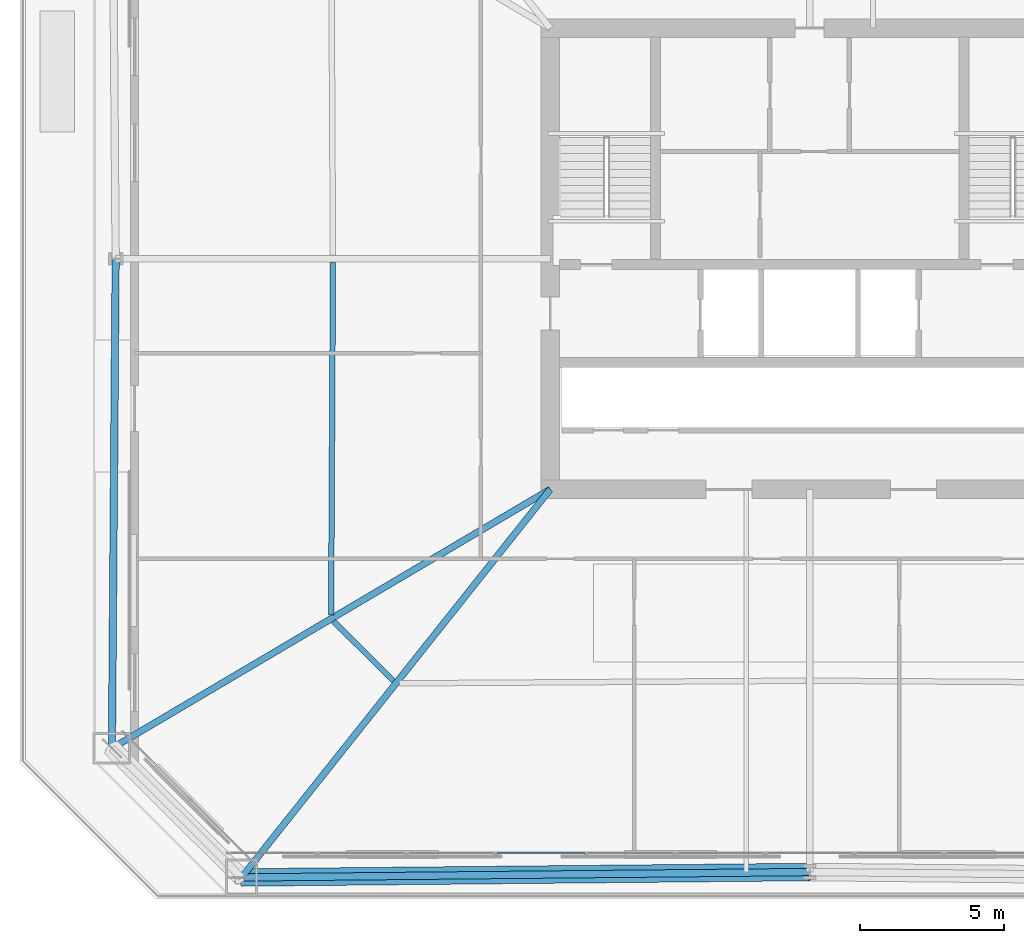
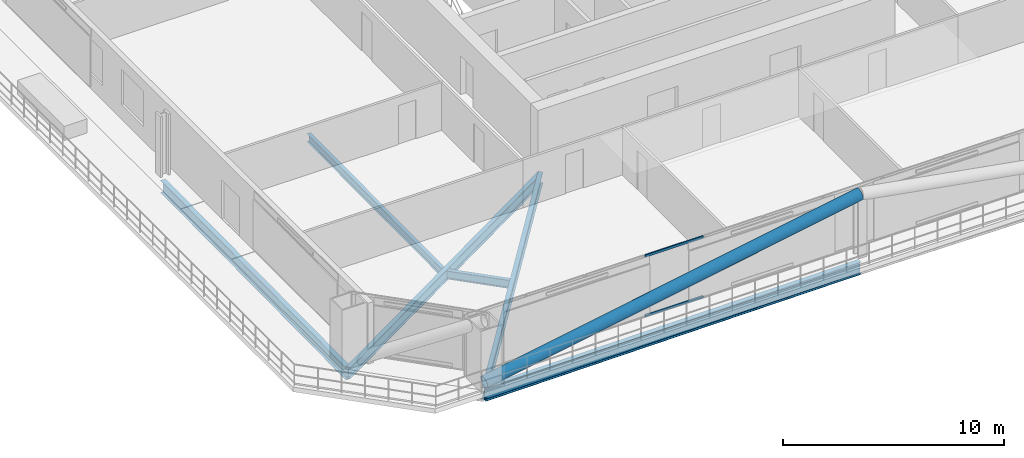
# One storey, part 4 of 34: 6 beams, 3 members, 1 element without a shape of its own.
"""IFC4 building model written with IfcOpenShell, lengths in metres."""

import ifcopenshell
import ifcopenshell.guid

model = None  # the IFC model being written
_history = None  # IfcOwnerHistory: only IFC2X3 demands one
_inside = {}  # id of a spatial element -> (the spatial element, [elements in it])
_under = {}  # id of a project, library or spatial element -> (it, [spatial elements below it])
_declared = {}  # id of a project -> (the project, [libraries it declares])
_typed = {}  # id of a type object -> (the type object, [elements of that type])
_made_of = {}  # id of a material, layer set ... -> (it, [elements and type objects made of it])


def new_model(schema):
    """Start an empty IFC model of exactly this schema.

    Asked for "IFC4X3", IfcOpenShell would pick the latest addendum, in which some entities
    have other attributes; the version numbers below select the first issue.
    IFC2X3 requires an IfcOwnerHistory on every rooted entity: one is made here for all.
    """
    global model, _history
    if schema == "IFC4X3":
        model = ifcopenshell.file(schema_version=(4, 3, 0, 0))
    else:
        model = ifcopenshell.file(schema=schema)
    _inside.clear()
    _under.clear()
    _declared.clear()
    _typed.clear()
    _made_of.clear()
    _history = None
    if model.schema == "IFC2X3":
        org = make("IfcOrganization", Name="unknown")
        user = make(
            "IfcPersonAndOrganization",
            ThePerson=make("IfcPerson", FamilyName="unknown"),
            TheOrganization=org,
        )
        app = make(
            "IfcApplication",
            ApplicationDeveloper=org,
            Version="unknown",
            ApplicationFullName="unknown",
            ApplicationIdentifier="unknown",
        )
        _history = make(
            "IfcOwnerHistory",
            OwningUser=user,
            OwningApplication=app,
            ChangeAction="ADDED",
            CreationDate=0,
        )
    return model


def make(cls, **values):
    """One entity of the class cls with the attributes given. An attribute that is None is left unset."""
    return model.create_entity(
        cls, **{name: value for name, value in values.items() if value is not None}
    )


def rooted(cls, **values):
    """An entity with a GlobalId (a new one), such as an element, a storey or a relation."""
    return make(cls, GlobalId=ifcopenshell.guid.new(), OwnerHistory=_history, **values)


def si_unit(unit_type, name, prefix=None):
    """IfcSIUnit, for example si_unit("LENGTHUNIT", "METRE", prefix="MILLI")."""
    return make("IfcSIUnit", UnitType=unit_type, Prefix=prefix, Name=name)


def assignment(units):
    """IfcUnitAssignment: the units of a project."""
    return None if units is None else make("IfcUnitAssignment", Units=units)


def point(xyz):
    """IfcCartesianPoint."""
    return None if xyz is None else make("IfcCartesianPoint", Coordinates=xyz)


def direction(xyz):
    """IfcDirection."""
    return None if xyz is None else make("IfcDirection", DirectionRatios=xyz)


def frame(location, z_axis=None, x_axis=None):
    """IfcAxis2Placement3D, a coordinate frame: its origin and axes. An axis left out is left unset."""
    return make(
        "IfcAxis2Placement3D",
        Location=point(location),
        Axis=direction(z_axis),
        RefDirection=direction(x_axis),
    )


def frame_2d(location, x_axis=None):
    """IfcAxis2Placement2D, a coordinate frame in the plane: its origin and x axis."""
    return make(
        "IfcAxis2Placement2D", Location=point(location), RefDirection=direction(x_axis)
    )


def origin():
    """The frame at (0, 0, 0) with its axes left unset."""
    return frame((0.0, 0.0, 0.0))


def origin_2d():
    """The frame at (0, 0) in the plane with its x axis left unset."""
    return frame_2d((0.0, 0.0))


def place(relative_to, where):
    """IfcLocalPlacement: puts the frame where relative to a parent placement (None: the world)."""
    return make(
        "IfcLocalPlacement", PlacementRelTo=relative_to, RelativePlacement=where
    )


def context(
    kind, dimensions, precision=None, world=None, true_north=None, identifier=None
):
    """IfcGeometricRepresentationContext, for example the 3D "Model" context."""
    return make(
        "IfcGeometricRepresentationContext",
        ContextIdentifier=identifier,
        ContextType=kind,
        CoordinateSpaceDimension=dimensions,
        Precision=precision,
        WorldCoordinateSystem=world,
        TrueNorth=true_north,
    )


def subcontext(parent, identifier, kind, view, scale=None):
    """IfcGeometricRepresentationSubContext, for example "Body" below "Model"."""
    return make(
        "IfcGeometricRepresentationSubContext",
        ContextIdentifier=identifier,
        ContextType=kind,
        ParentContext=parent,
        TargetScale=scale,
        TargetView=view,
    )


def project(units=None, contexts=None):
    """IfcProject with its units and contexts."""
    return rooted(
        "IfcProject",
        Name="project",
        RepresentationContexts=contexts,
        UnitsInContext=assignment(units),
    )


def spatial(cls, under=None, at=None, **own):
    """A site, building, storey or space (cls), placed at a placement, below another one or the project."""
    s = rooted(cls, ObjectPlacement=at, **own)
    if under is not None:
        _under.setdefault(under.id(), (under, []))[1].append(s)
    return s


def profile(cls, at=None, kind="AREA", **sizes):
    """A parametric profile (cls). Its sizes go by their IFC names, for example OverallWidth=200.0."""
    return make(cls, ProfileType=kind, Position=at, **sizes)


def hollow_rectangle(**sizes):
    """IfcRectangleHollowProfileDef."""
    return profile("IfcRectangleHollowProfileDef", **sizes)


def hollow_circle(**sizes):
    """IfcCircleHollowProfileDef."""
    return profile("IfcCircleHollowProfileDef", **sizes)


def i_section(**sizes):
    """IfcIShapeProfileDef."""
    return profile("IfcIShapeProfileDef", **sizes)


def extrude(swept, where, along, depth):
    """IfcExtrudedAreaSolid: the profile swept, set in the frame where, extruded along a direction by depth."""
    return make(
        "IfcExtrudedAreaSolid",
        SweptArea=swept,
        Position=where,
        ExtrudedDirection=direction(along),
        Depth=depth,
    )


def shape(context_of_items, identifier, shape_type, items):
    """IfcShapeRepresentation: the items that make up one representation, for example the "Body"."""
    return make(
        "IfcShapeRepresentation",
        ContextOfItems=context_of_items,
        RepresentationIdentifier=identifier,
        RepresentationType=shape_type,
        Items=items,
    )


def material(Name=None, Category=None):
    """IfcMaterial."""
    return make("IfcMaterial", Name=Name, Category=Category)


def layer(
    of_material, thickness, ventilated=None, Name=None, Category=None, Priority=None
):
    """IfcMaterialLayer: one layer of a wall or slab, of a material (None: an air gap)."""
    return make(
        "IfcMaterialLayer",
        Material=of_material,
        LayerThickness=thickness,
        IsVentilated=ventilated,
        Name=Name,
        Category=Category,
        Priority=Priority,
    )


def layer_set(layers, Name=None):
    """IfcMaterialLayerSet."""
    return make("IfcMaterialLayerSet", MaterialLayers=layers, LayerSetName=Name)


def material_profile(
    of_material, cross_section, Name=None, Category=None, Priority=None
):
    """IfcMaterialProfile: a cross section and its material."""
    return make(
        "IfcMaterialProfile",
        Name=Name,
        Material=of_material,
        Profile=cross_section,
        Priority=Priority,
        Category=Category,
    )


def profile_set(profiles, Name=None, composite=None):
    """IfcMaterialProfileSet."""
    return make(
        "IfcMaterialProfileSet",
        Name=Name,
        MaterialProfiles=profiles,
        CompositeProfile=composite,
    )


def made_of(thing, what):
    """Note that an element or type object is made of a material, layer set ...; save() writes the relation."""
    if what is not None:
        _made_of.setdefault(what.id(), (what, []))[1].append(thing)
    return thing


def type_object(cls, material=None, **own):
    """A type object (cls), such as IfcWallType, which elements share."""
    return made_of(rooted(cls, **own), material)


def element(
    cls,
    number,
    at=None,
    inside=None,
    cuts=None,
    type_object=None,
    material=None,
    context=None,
    identifier="Body",
    shape_type=None,
    held_by="IfcProductDefinitionShape",
    body=None,
    shapes=None,
    **own,
):
    """One element of the class cls, such as IfcWall. Its Tag is "e" and its number.

    at: its placement. inside: the storey or other place that contains it. cuts: it is an
    opening in that element (IfcRelVoidsElement). A single representation is given by context,
    identifier, shape_type and body (its items); several are given by shapes. held_by: the class
    of the entity that holds the representations. save() writes the other relations.
    """
    e = rooted(cls, Tag="e%d" % number, ObjectPlacement=at, **own)
    if body is not None:
        shapes = [shape(context, identifier, shape_type, body)]
    if shapes is not None:
        e.Representation = make(held_by, Representations=shapes)
    if inside is not None:
        _inside.setdefault(inside.id(), (inside, []))[1].append(e)
    if cuts is not None:
        rooted(
            "IfcRelVoidsElement", RelatingBuildingElement=cuts, RelatedOpeningElement=e
        )
    if type_object is not None:
        _typed.setdefault(type_object.id(), (type_object, []))[1].append(e)
    return made_of(e, material)


def aggregate(whole, parts):
    """IfcRelAggregates: a whole, such as a stair, and the parts it consists of."""
    return rooted("IfcRelAggregates", RelatingObject=whole, RelatedObjects=parts)


def save(model, path):
    """Write the relations noted so far, then the file.

    IfcRelAggregates (storeys below a building ...), IfcRelContainedInSpatialStructure (elements
    in a storey), IfcRelDefinesByType, IfcRelAssociatesMaterial and IfcRelDeclares: one each for
    every whole, place, type object, material and project.
    """
    for whole, parts in _under.values():
        aggregate(whole, parts)
    for where, things in _inside.values():
        rooted(
            "IfcRelContainedInSpatialStructure",
            RelatedElements=things,
            RelatingStructure=where,
        )
    for kind, things in _typed.values():
        rooted("IfcRelDefinesByType", RelatedObjects=things, RelatingType=kind)
    for what, things in _made_of.values():
        rooted("IfcRelAssociatesMaterial", RelatedObjects=things, RelatingMaterial=what)
    for by, libraries in _declared.values():
        rooted("IfcRelDeclares", RelatingContext=by, RelatedDefinitions=libraries)
    model.write(path)


model = new_model("IFC4")

# Units and contexts
model_context = context("Model", 3, precision=1e-05, world=origin(), true_north=direction((0.0, 1.0)))
body_context = subcontext(model_context, "Body", "Model", "MODEL_VIEW")
ifc_project = project(units=[si_unit("LENGTHUNIT", "METRE"), si_unit("AREAUNIT", "SQUARE_METRE"), si_unit("VOLUMEUNIT", "CUBIC_METRE"), si_unit("PLANEANGLEUNIT", "RADIAN"), si_unit("MASSUNIT", "GRAM", prefix="KILO")], contexts=[model_context])

# Site, building, storey
site_placement = place(None, origin())
site = spatial("IfcSite", under=ifc_project, at=site_placement, CompositionType="ELEMENT")
building_placement = place(site_placement, origin())
building = spatial("IfcBuilding", under=site, at=building_placement, Name="Caelvoria Tower", CompositionType="ELEMENT")
storey_placement = place(building_placement, frame((0.0, 0.0, 28.0)))
storey = spatial("IfcBuildingStorey", under=building, at=storey_placement, Name="L06", CompositionType="ELEMENT", Elevation=28.0)

# Curtain wall, members
ifc_material_1 = material(Name="Anodised Bronze Aluminium and Low-E Glass", Category="aluminium")
ifc_layer = layer(ifc_material_1, 0.18505859375, Name="Anodised Bronze Aluminium and Low-E Glass")
ifc_layer_set = layer_set([ifc_layer], Name="CW System 2 Lower Tower Bronze Unitised Facade - Anodised Bronze Aluminium and Low-E Glass")
curtain_wall_type = type_object("IfcCurtainWallType", Name="CW System 2 Lower Tower Bronze Unitised Facade", PredefinedType="NOTDEFINED", material=ifc_layer_set)
curtain_wall_placement = place(storey_placement, origin())
curtain_wall = element("IfcCurtainWall", 1, at=curtain_wall_placement, inside=storey, type_object=curtain_wall_type, Name="CW-02 Curtain Wall L06-E0", PredefinedType="NOTDEFINED")
ifc_material_2 = material(Name="Anodised Bronze Architectural Aluminium", Category="aluminium")
ifc_material_profile_1 = material_profile(ifc_material_2, hollow_rectangle(XDim=0.06494140625, YDim=0.1298828125, WallThickness=0.00341796875, at=origin_2d()), Name="Anodised Bronze Architectural Aluminium")
ifc_profile_set_1 = profile_set([ifc_material_profile_1], Name="CW_TRAN_65X130 - Anodised Bronze Architectural Aluminium")
member_type_1 = type_object("IfcMemberType", Name="Curtain Wall Transom 65x130 Bronze Aluminium", PredefinedType="USERDEFINED", material=ifc_profile_set_1)
member_1_placement = place(storey_placement, frame((35.155517578125, 11.3798828125, 0.032470703125), z_axis=(1.0, 0.0, 0.0), x_axis=(0.0, 1.0, 0.0)))
member_1 = element("IfcMember", 2, at=member_1_placement, type_object=member_type_1, Name="CW-02 transom 4.1", ObjectType="TRANSOM", PredefinedType="USERDEFINED", context=body_context, shape_type="SweptSolid", body=[
    extrude(hollow_rectangle(XDim=0.06494140625, YDim=0.1298828125, WallThickness=0.00341796875, at=origin_2d()), origin(), (0.0, 0.0, 1.0), 3.042724609375),
])
member_2_placement = place(storey_placement, frame((35.155517578125, 11.3798828125, 3.327392578125), z_axis=(1.0, 0.0, 0.0), x_axis=(0.0, 1.0, 0.0)))
member_2 = element("IfcMember", 3, at=member_2_placement, type_object=member_type_1, Name="CW-02 transom 4.2", ObjectType="TRANSOM", PredefinedType="USERDEFINED", context=body_context, shape_type="SweptSolid", body=[
    extrude(hollow_rectangle(XDim=0.06494140625, YDim=0.1298828125, WallThickness=0.00341796875, at=origin_2d()), origin(), (0.0, 0.0, 1.0), 3.042724609375),
])
aggregate(curtain_wall, [member_1, member_2])

# Member
ifc_material_3 = material(Name="Structural Steel ASTM A572 Gr.50", Category="steel")
ifc_material_profile_2 = material_profile(ifc_material_3, hollow_circle(Radius=0.304931640625, WallThickness=0.02490234375, at=origin_2d()), Name="Structural Steel ASTM A572 Gr.50")
ifc_profile_set_2 = profile_set([ifc_material_profile_2], Name="CHS610X25 - Structural Steel ASTM A572 Gr.50")
member_type_2 = type_object("IfcMemberType", Name="Lower Perimeter Mega Brace CHS610X25", PredefinedType="BRACE", material=ifc_profile_set_2)
member_3_placement = place(storey_placement, frame((26.287109375, 10.530517578125, 0.0), z_axis=(0.985737846639, 0.009473553069, 0.168021276916), x_axis=(-0.009610177415, 0.999953821179, 0.0)))
element("IfcMember", 4, at=member_3_placement, inside=storey, type_object=member_type_2, Name="Perimeter Cardinal Mega Brace L06 SA", PredefinedType="BRACE", context=body_context, shape_type="SweptSolid", body=[
    extrude(hollow_circle(Radius=0.304931640625, WallThickness=0.02490234375, at=origin_2d()), origin(), (0.0, 0.0, 1.0), 19.998046875),
])

# Beams
ifc_material_4 = material(Name="Structural Steel ASTM A992 Gr.50", Category="steel")
ifc_material_profile_3 = material_profile(ifc_material_4, i_section(OverallWidth=0.25390625, OverallDepth=0.68798828125, WebThickness=0.01318359375, FlangeThickness=0.02099609375, FilletRadius=0.01904296875, at=origin_2d()), Name="Structural Steel ASTM A992 Gr.50")
ifc_profile_set_3 = profile_set([ifc_material_profile_3], Name="W690X152 - Structural Steel ASTM A992 Gr.50")
beam_type_1 = type_object("IfcBeamType", Name="Perimeter Spandrel Girder W690X152", PredefinedType="BEAM", material=ifc_profile_set_3)
beam_1_placement = place(storey_placement, frame((26.287109375, 10.530517578125, -0.6640625), z_axis=(0.999953821179, 0.009610177415, 0.0), x_axis=(-0.009610177415, 0.999953821179, 0.0)))
element("IfcBeam", 5, at=beam_1_placement, inside=storey, type_object=beam_type_1, Name="Perimeter Spandrel Girder L06-00", PredefinedType="BEAM", context=body_context, shape_type="SweptSolid", body=[
    extrude(i_section(OverallWidth=0.25390625, OverallDepth=0.68798828125, WebThickness=0.01318359375, FlangeThickness=0.02099609375, FilletRadius=0.01904296875, at=origin_2d()), origin(), (0.0, 0.0, 1.0), 19.7138671875),
])
beam_2_placement = place(storey_placement, frame((21.919921875, 32.0, -0.6640625), z_axis=(-0.007689095313, -0.99997043847, 0.0), x_axis=(0.99997043847, -0.007689095313, 0.0)))
element("IfcBeam", 6, at=beam_2_placement, inside=storey, type_object=beam_type_1, Name="Perimeter Spandrel Girder L06-10", PredefinedType="BEAM", context=body_context, shape_type="SweptSolid", body=[
    extrude(i_section(OverallWidth=0.25390625, OverallDepth=0.68798828125, WebThickness=0.01318359375, FlangeThickness=0.02099609375, FilletRadius=0.01904296875, at=origin_2d()), origin(), (0.0, 0.0, 1.0), 16.987060546875),
])
ifc_material_profile_4 = material_profile(ifc_material_4, i_section(OverallWidth=0.22900390625, OverallDepth=0.612060546875, WebThickness=0.011962890625, FlangeThickness=0.01953125, FilletRadius=0.01806640625, at=origin_2d()), Name="Structural Steel ASTM A992 Gr.50")
ifc_profile_set_4 = profile_set([ifc_material_profile_4], Name="W610X125 - Structural Steel ASTM A992 Gr.50")
beam_type_2 = type_object("IfcBeamType", Name="Primary Radial Floor Girder W610X125", PredefinedType="BEAM", material=ifc_profile_set_4)
beam_3_placement = place(storey_placement, frame((37.0, 24.0, -0.6259765625), z_axis=(-0.622471237323, -0.782642676261, 0.0), x_axis=(0.782642676261, -0.622471237323, 0.0)))
element("IfcBeam", 7, at=beam_3_placement, inside=storey, type_object=beam_type_2, Name="Primary Floor Girder L06-00", PredefinedType="BEAM", context=body_context, shape_type="SweptSolid", body=[
    extrude(i_section(OverallWidth=0.22900390625, OverallDepth=0.612060546875, WebThickness=0.011962890625, FlangeThickness=0.01953125, FilletRadius=0.01806640625, at=origin_2d()), origin(), (0.0, 0.0, 1.0), 17.210205078125),
])
beam_4_placement = place(storey_placement, frame((37.0, 24.0, -0.6259765625), z_axis=(-0.860965316265, -0.508663665095, 0.0), x_axis=(0.508663665095, -0.860965316265, 0.0)))
element("IfcBeam", 8, at=beam_4_placement, inside=storey, type_object=beam_type_2, Name="Primary Floor Girder L06-11", PredefinedType="BEAM", context=body_context, shape_type="SweptSolid", body=[
    extrude(i_section(OverallWidth=0.22900390625, OverallDepth=0.612060546875, WebThickness=0.011962890625, FlangeThickness=0.01953125, FilletRadius=0.01806640625, at=origin_2d()), origin(), (0.0, 0.0, 1.0), 17.6669921875),
])
ifc_material_profile_5 = material_profile(ifc_material_4, i_section(OverallWidth=0.18994140625, OverallDepth=0.45703125, WebThickness=0.009033203125, FlangeThickness=0.014404296875, FilletRadius=0.014892578125, at=origin_2d()), Name="Structural Steel ASTM A992 Gr.50")
ifc_profile_set_5 = profile_set([ifc_material_profile_5], Name="W460X74 - Structural Steel ASTM A992 Gr.50")
beam_type_3 = type_object("IfcBeamType", Name="Secondary Floor Beam W460X74", PredefinedType="BEAM", material=ifc_profile_set_5)
beam_5_placement = place(storey_placement, frame((29.459228515625, 31.875, -0.548583984375), z_axis=(-0.005204523911, -0.999986456374, 0.0), x_axis=(0.999986456374, -0.005204523911, 0.0)))
element("IfcBeam", 9, at=beam_5_placement, inside=storey, type_object=beam_type_3, Name="Secondary Floor Beam L06-10", PredefinedType="BEAM", context=body_context, shape_type="SweptSolid", body=[
    extrude(i_section(OverallWidth=0.18994140625, OverallDepth=0.45703125, WebThickness=0.009033203125, FlangeThickness=0.014404296875, FilletRadius=0.014892578125, at=origin_2d()), origin(), (0.0, 0.0, 1.0), 12.243408203125),
])
beam_6_placement = place(storey_placement, frame((29.483154296875, 19.418701171875, -0.548583984375), z_axis=(0.708232579267, -0.705979187841, 0.0), x_axis=(0.705979187841, 0.708232579267, 0.0)))
element("IfcBeam", 10, at=beam_6_placement, inside=storey, type_object=beam_type_3, Name="Secondary Floor Beam L06-11", PredefinedType="BEAM", context=body_context, shape_type="SweptSolid", body=[
    extrude(i_section(OverallWidth=0.18994140625, OverallDepth=0.45703125, WebThickness=0.009033203125, FlangeThickness=0.014404296875, FilletRadius=0.014892578125, at=origin_2d()), origin(), (0.0, 0.0, 1.0), 2.92529296875),
])

save(model, "model.ifc")
